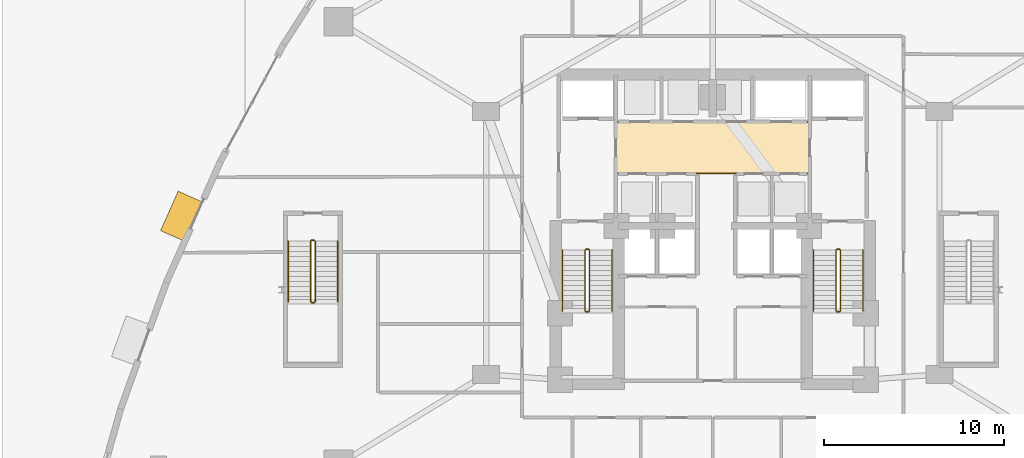
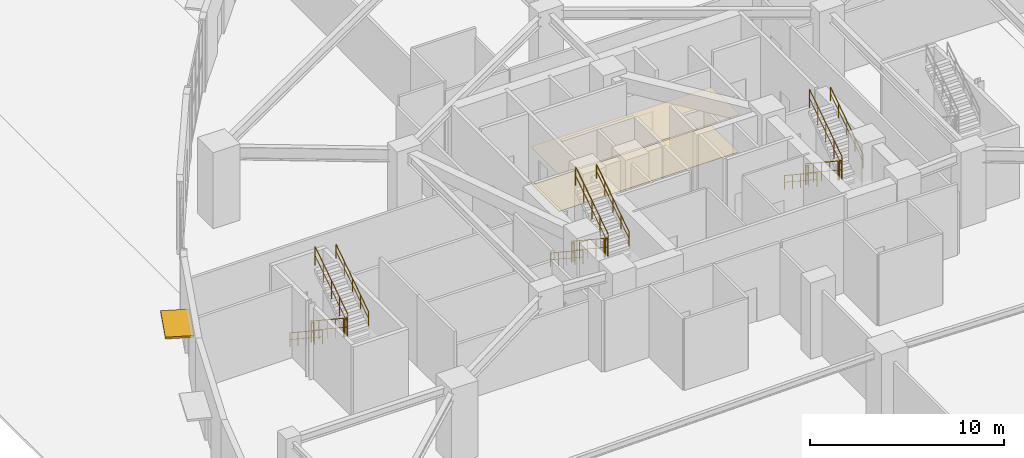
# One storey, part 29 of 32: 18 railings, 2 coverings, 1 shading device.
"""IFC4 building model written with IfcOpenShell, lengths in metres."""

from ifc_helpers import new_model, si_unit, direction, frame, origin, origin_2d, place, context, subcontext, project, spatial, polyline, rectangle, circle, outline, extrude, material, layer, layer_set, type_object, element, save


model = new_model("IFC4")

# Units and contexts
model_context = context("Model", 3, precision=1e-05, world=origin(), true_north=direction((0.0, 1.0)))
body_context = subcontext(model_context, "Body", "Model", "MODEL_VIEW")
ifc_project = project(units=[si_unit("LENGTHUNIT", "METRE"), si_unit("AREAUNIT", "SQUARE_METRE"), si_unit("VOLUMEUNIT", "CUBIC_METRE"), si_unit("PLANEANGLEUNIT", "RADIAN"), si_unit("MASSUNIT", "GRAM", prefix="KILO")], contexts=[model_context])

# Site, building, storey
site_placement = place(None, origin())
site = spatial("IfcSite", under=ifc_project, at=site_placement, CompositionType="ELEMENT")
building_placement = place(site_placement, origin())
building = spatial("IfcBuilding", under=site, at=building_placement, Name="Miruveldt Soraemaru", CompositionType="ELEMENT")
storey_placement = place(building_placement, origin())
storey = spatial("IfcBuildingStorey", under=building, at=storey_placement, Name="L01", CompositionType="ELEMENT", Elevation=0.0)

# Coverings
ifc_material_1 = material(Name="Gypsum plasterboard lining", Category="gypsum")
ifc_layer_1 = layer(ifc_material_1, 0.02001953125, Name="Gypsum plasterboard lining", Category="gypsum")
ifc_layer_set_1 = layer_set([ifc_layer_1], Name="Gypsum plasterboard lining")
covering_type_1 = type_object("IfcCoveringType", Name="COV-CEIL-AC", PredefinedType="CEILING", material=ifc_layer_set_1)
covering_1_placement = place(storey_placement, frame((0.0, 0.0, 2.3798828125)))
element("IfcCovering", 1, at=covering_1_placement, inside=storey, type_object=covering_type_1, Name="L01 Lift Lobby Acoustic Ceiling", PredefinedType="CEILING", context=body_context, shape_type="SweptSolid", body=[
    extrude(outline(polyline([(38.60009765625, 46.949951171875), (49.39990234375, 46.949951171875), (49.39990234375, 49.85009765625), (38.60009765625, 49.85009765625), (38.60009765625, 46.949951171875)])), origin(), (0.0, 0.0, 1.0), 0.02001953125),
])
ifc_material_2 = material(Name="Precast concrete C45/55 (45 MPa)", Category="concrete")
ifc_layer_2 = layer(ifc_material_2, 0.02490234375, Name="Precast concrete C45/55 (45 MPa)", Category="concrete")
ifc_layer_set_2 = layer_set([ifc_layer_2], Name="Precast concrete C45/55 (45 MPa)")
covering_type_2 = type_object("IfcCoveringType", Name="COV-FLOR-ST", PredefinedType="FLOORING", material=ifc_layer_set_2)
covering_2_placement = place(storey_placement, origin())
element("IfcCovering", 2, at=covering_2_placement, inside=storey, type_object=covering_type_2, Name="L01 Lift Lobby Stone Flooring", PredefinedType="FLOORING", context=body_context, shape_type="SweptSolid", body=[
    extrude(outline(polyline([(38.64990234375, 47.0), (49.35009765625, 47.0), (49.35009765625, 49.800048828125), (38.64990234375, 49.800048828125), (38.64990234375, 47.0)])), origin(), (0.0, 0.0, 1.0), 0.02490234375),
])

# Railings
ifc_material_3 = material(Name="Steel S355 (355 MPa)", Category="steel")
railing_type_1 = type_object("IfcRailingType", Name="RAIL-HR-900", PredefinedType="HANDRAIL", material=ifc_material_3)
railing_1_placement = place(storey_placement, frame((35.64990234375, 42.699951171875, 0.1845703125)))
element("IfcRailing", 3, at=railing_1_placement, inside=storey, type_object=railing_type_1, Name="L01 ST-1 stair handrail 1", PredefinedType="HANDRAIL", context=body_context, shape_type="SweptSolid", body=[
    extrude(circle(Radius=0.02392578125, at=origin_2d()), frame((0.0, 0.0, 0.8759765625), z_axis=(0.0, -0.834858096282, 0.550465220583), x_axis=(1.0, 0.0, 0.0)), (0.0, 0.0, 1.0), 4.0244140625),
    extrude(circle(Radius=0.01611328125, at=origin_2d()), frame((0.0, 0.0, 0.449951171875), z_axis=(0.0, -0.834858096282, 0.550465220583), x_axis=(1.0, 0.0, 0.0)), (0.0, 0.0, 1.0), 4.0244140625),
    extrude(circle(Radius=0.02099609375, at=origin_2d()), origin(), (0.0, 0.0, 1.0), 0.851806640625),
    extrude(circle(Radius=0.02099609375, at=origin_2d()), frame((0.0, -0.83984375, 0.5537109375)), (0.0, 0.0, 1.0), 0.851806640625),
    extrude(circle(Radius=0.02099609375, at=origin_2d()), frame((0.0, -1.679931640625, 1.107666015625)), (0.0, 0.0, 1.0), 0.851806640625),
    extrude(circle(Radius=0.02099609375, at=origin_2d()), frame((0.0, -2.52001953125, 1.66162109375)), (0.0, 0.0, 1.0), 0.851806640625),
    extrude(circle(Radius=0.02099609375, at=origin_2d()), frame((0.0, -3.35986328125, 2.21533203125)), (0.0, 0.0, 1.0), 0.851806640625),
])
railing_2_placement = place(storey_placement, frame((38.39990234375, 39.340087890625, 2.584716796875)))
element("IfcRailing", 4, at=railing_2_placement, inside=storey, type_object=railing_type_1, Name="L01 ST-1 stair handrail 2", PredefinedType="HANDRAIL", context=body_context, shape_type="SweptSolid", body=[
    extrude(circle(Radius=0.02392578125, at=origin_2d()), frame((0.0, 0.0, 0.8759765625), z_axis=(0.0, 0.834858096282, 0.550465220583), x_axis=(-1.0, 0.0, 0.0)), (0.0, 0.0, 1.0), 4.0244140625),
    extrude(circle(Radius=0.01611328125, at=origin_2d()), frame((0.0, 0.0, 0.449951171875), z_axis=(0.0, 0.834858096282, 0.550465220583), x_axis=(-1.0, 0.0, 0.0)), (0.0, 0.0, 1.0), 4.0244140625),
    extrude(circle(Radius=0.02099609375, at=origin_2d()), origin(), (0.0, 0.0, 1.0), 0.851806640625),
    extrude(circle(Radius=0.02099609375, at=origin_2d()), frame((0.0, 0.83984375, 0.5537109375)), (0.0, 0.0, 1.0), 0.851806640625),
    extrude(circle(Radius=0.02099609375, at=origin_2d()), frame((0.0, 1.679931640625, 1.107666015625)), (0.0, 0.0, 1.0), 0.851806640625),
    extrude(circle(Radius=0.02099609375, at=origin_2d()), frame((0.0, 2.52001953125, 1.66162109375)), (0.0, 0.0, 1.0), 0.851806640625),
    extrude(circle(Radius=0.02099609375, at=origin_2d()), frame((0.0, 3.35986328125, 2.21533203125)), (0.0, 0.0, 1.0), 0.851806640625),
])
railing_3_placement = place(storey_placement, frame((49.60009765625, 42.699951171875, 0.1845703125)))
element("IfcRailing", 5, at=railing_3_placement, inside=storey, type_object=railing_type_1, Name="L01 ST-2 stair handrail 1", PredefinedType="HANDRAIL", context=body_context, shape_type="SweptSolid", body=[
    extrude(circle(Radius=0.02392578125, at=origin_2d()), frame((0.0, 0.0, 0.8759765625), z_axis=(0.0, -0.834858096282, 0.550465220583), x_axis=(1.0, 0.0, 0.0)), (0.0, 0.0, 1.0), 4.0244140625),
    extrude(circle(Radius=0.01611328125, at=origin_2d()), frame((0.0, 0.0, 0.449951171875), z_axis=(0.0, -0.834858096282, 0.550465220583), x_axis=(1.0, 0.0, 0.0)), (0.0, 0.0, 1.0), 4.0244140625),
    extrude(circle(Radius=0.02099609375, at=origin_2d()), origin(), (0.0, 0.0, 1.0), 0.851806640625),
    extrude(circle(Radius=0.02099609375, at=origin_2d()), frame((0.0, -0.83984375, 0.5537109375)), (0.0, 0.0, 1.0), 0.851806640625),
    extrude(circle(Radius=0.02099609375, at=origin_2d()), frame((0.0, -1.679931640625, 1.107666015625)), (0.0, 0.0, 1.0), 0.851806640625),
    extrude(circle(Radius=0.02099609375, at=origin_2d()), frame((0.0, -2.52001953125, 1.66162109375)), (0.0, 0.0, 1.0), 0.851806640625),
    extrude(circle(Radius=0.02099609375, at=origin_2d()), frame((0.0, -3.35986328125, 2.21533203125)), (0.0, 0.0, 1.0), 0.851806640625),
])
railing_4_placement = place(storey_placement, frame((52.35009765625, 39.340087890625, 2.584716796875)))
element("IfcRailing", 6, at=railing_4_placement, inside=storey, type_object=railing_type_1, Name="L01 ST-2 stair handrail 2", PredefinedType="HANDRAIL", context=body_context, shape_type="SweptSolid", body=[
    extrude(circle(Radius=0.02392578125, at=origin_2d()), frame((0.0, 0.0, 0.8759765625), z_axis=(0.0, 0.834858096282, 0.550465220583), x_axis=(-1.0, 0.0, 0.0)), (0.0, 0.0, 1.0), 4.0244140625),
    extrude(circle(Radius=0.01611328125, at=origin_2d()), frame((0.0, 0.0, 0.449951171875), z_axis=(0.0, 0.834858096282, 0.550465220583), x_axis=(-1.0, 0.0, 0.0)), (0.0, 0.0, 1.0), 4.0244140625),
    extrude(circle(Radius=0.02099609375, at=origin_2d()), origin(), (0.0, 0.0, 1.0), 0.851806640625),
    extrude(circle(Radius=0.02099609375, at=origin_2d()), frame((0.0, 0.83984375, 0.5537109375)), (0.0, 0.0, 1.0), 0.851806640625),
    extrude(circle(Radius=0.02099609375, at=origin_2d()), frame((0.0, 1.679931640625, 1.107666015625)), (0.0, 0.0, 1.0), 0.851806640625),
    extrude(circle(Radius=0.02099609375, at=origin_2d()), frame((0.0, 2.52001953125, 1.66162109375)), (0.0, 0.0, 1.0), 0.851806640625),
    extrude(circle(Radius=0.02099609375, at=origin_2d()), frame((0.0, 3.35986328125, 2.21533203125)), (0.0, 0.0, 1.0), 0.851806640625),
])
railing_5_placement = place(storey_placement, frame((20.39990234375, 43.199951171875, 0.1845703125)))
element("IfcRailing", 7, at=railing_5_placement, inside=storey, type_object=railing_type_1, Name="L01 ST-3 stair handrail 1", PredefinedType="HANDRAIL", context=body_context, shape_type="SweptSolid", body=[
    extrude(circle(Radius=0.02392578125, at=origin_2d()), frame((0.0, 0.0, 0.8759765625), z_axis=(0.0, -0.834858096282, 0.550465220583), x_axis=(1.0, 0.0, 0.0)), (0.0, 0.0, 1.0), 4.0244140625),
    extrude(circle(Radius=0.01611328125, at=origin_2d()), frame((0.0, 0.0, 0.449951171875), z_axis=(0.0, -0.834858096282, 0.550465220583), x_axis=(1.0, 0.0, 0.0)), (0.0, 0.0, 1.0), 4.0244140625),
    extrude(circle(Radius=0.02099609375, at=origin_2d()), origin(), (0.0, 0.0, 1.0), 0.851806640625),
    extrude(circle(Radius=0.02099609375, at=origin_2d()), frame((0.0, -0.83984375, 0.5537109375)), (0.0, 0.0, 1.0), 0.851806640625),
    extrude(circle(Radius=0.02099609375, at=origin_2d()), frame((0.0, -1.679931640625, 1.107666015625)), (0.0, 0.0, 1.0), 0.851806640625),
    extrude(circle(Radius=0.02099609375, at=origin_2d()), frame((0.0, -2.52001953125, 1.66162109375)), (0.0, 0.0, 1.0), 0.851806640625),
    extrude(circle(Radius=0.02099609375, at=origin_2d()), frame((0.0, -3.35986328125, 2.21533203125)), (0.0, 0.0, 1.0), 0.851806640625),
])
railing_6_placement = place(storey_placement, frame((23.14990234375, 39.840087890625, 2.584716796875)))
element("IfcRailing", 8, at=railing_6_placement, inside=storey, type_object=railing_type_1, Name="L01 ST-3 stair handrail 2", PredefinedType="HANDRAIL", context=body_context, shape_type="SweptSolid", body=[
    extrude(circle(Radius=0.02392578125, at=origin_2d()), frame((0.0, 0.0, 0.8759765625), z_axis=(0.0, 0.834858096282, 0.550465220583), x_axis=(-1.0, 0.0, 0.0)), (0.0, 0.0, 1.0), 4.0244140625),
    extrude(circle(Radius=0.01611328125, at=origin_2d()), frame((0.0, 0.0, 0.449951171875), z_axis=(0.0, 0.834858096282, 0.550465220583), x_axis=(-1.0, 0.0, 0.0)), (0.0, 0.0, 1.0), 4.0244140625),
    extrude(circle(Radius=0.02099609375, at=origin_2d()), origin(), (0.0, 0.0, 1.0), 0.851806640625),
    extrude(circle(Radius=0.02099609375, at=origin_2d()), frame((0.0, 0.83984375, 0.5537109375)), (0.0, 0.0, 1.0), 0.851806640625),
    extrude(circle(Radius=0.02099609375, at=origin_2d()), frame((0.0, 1.679931640625, 1.107666015625)), (0.0, 0.0, 1.0), 0.851806640625),
    extrude(circle(Radius=0.02099609375, at=origin_2d()), frame((0.0, 2.52001953125, 1.66162109375)), (0.0, 0.0, 1.0), 0.851806640625),
    extrude(circle(Radius=0.02099609375, at=origin_2d()), frame((0.0, 3.35986328125, 2.21533203125)), (0.0, 0.0, 1.0), 0.851806640625),
])
railing_type_2 = type_object("IfcRailingType", Name="RAIL-STGUARD-1200", PredefinedType="GUARDRAIL", material=ifc_material_3)
railing_7_placement = place(storey_placement, frame((36.89990234375, 42.699951171875, 0.1845703125)))
element("IfcRailing", 9, at=railing_7_placement, inside=storey, type_object=railing_type_2, Name="L01 ST-1 stair guard 1", PredefinedType="GUARDRAIL", context=body_context, shape_type="SweptSolid", body=[
    extrude(circle(Radius=0.02392578125, at=origin_2d()), frame((0.0, 0.0, 1.17578125), z_axis=(0.0, -0.834858096282, 0.550465220583), x_axis=(1.0, 0.0, 0.0)), (0.0, 0.0, 1.0), 4.0244140625),
    extrude(circle(Radius=0.01611328125, at=origin_2d()), frame((0.0, 0.0, 0.60009765625), z_axis=(0.0, -0.834858096282, 0.550465220583), x_axis=(1.0, 0.0, 0.0)), (0.0, 0.0, 1.0), 4.0244140625),
    extrude(circle(Radius=0.02099609375, at=origin_2d()), origin(), (0.0, 0.0, 1.0), 1.15185546875),
    extrude(circle(Radius=0.02099609375, at=origin_2d()), frame((0.0, -0.83984375, 0.5537109375)), (0.0, 0.0, 1.0), 1.15185546875),
    extrude(circle(Radius=0.02099609375, at=origin_2d()), frame((0.0, -1.679931640625, 1.107666015625)), (0.0, 0.0, 1.0), 1.15185546875),
    extrude(circle(Radius=0.02099609375, at=origin_2d()), frame((0.0, -2.52001953125, 1.66162109375)), (0.0, 0.0, 1.0), 1.15185546875),
    extrude(circle(Radius=0.02099609375, at=origin_2d()), frame((0.0, -3.35986328125, 2.21533203125)), (0.0, 0.0, 1.0), 1.15185546875),
])
railing_8_placement = place(storey_placement, frame((36.949951171875, 39.2900390625, 2.39990234375)))
element("IfcRailing", 10, at=railing_8_placement, inside=storey, type_object=railing_type_2, Name="L01 ST-1 stair guard 2", PredefinedType="GUARDRAIL", context=body_context, shape_type="SweptSolid", body=[
    extrude(circle(Radius=0.02392578125, at=origin_2d()), frame((0.0, 0.0, 1.17578125), z_axis=(1.0, 0.0, 0.0), x_axis=(0.0, 1.0, 0.0)), (0.0, 0.0, 1.0), 0.150146484375),
    extrude(circle(Radius=0.01611328125, at=origin_2d()), frame((0.0, 0.0, 0.60009765625), z_axis=(1.0, 0.0, 0.0), x_axis=(0.0, 1.0, 0.0)), (0.0, 0.0, 1.0), 0.150146484375),
    extrude(circle(Radius=0.02099609375, at=origin_2d()), origin(), (0.0, 0.0, 1.0), 1.15185546875),
    extrude(circle(Radius=0.02099609375, at=origin_2d()), frame((0.150146484375, 0.0, 0.0)), (0.0, 0.0, 1.0), 1.15185546875),
])
railing_9_placement = place(storey_placement, frame((37.14990234375, 39.340087890625, 2.584716796875)))
element("IfcRailing", 11, at=railing_9_placement, inside=storey, type_object=railing_type_2, Name="L01 ST-1 stair guard 3", PredefinedType="GUARDRAIL", context=body_context, shape_type="SweptSolid", body=[
    extrude(circle(Radius=0.02392578125, at=origin_2d()), frame((0.0, 0.0, 1.17578125), z_axis=(0.0, 0.834858096282, 0.550465220583), x_axis=(-1.0, 0.0, 0.0)), (0.0, 0.0, 1.0), 4.0244140625),
    extrude(circle(Radius=0.01611328125, at=origin_2d()), frame((0.0, 0.0, 0.60009765625), z_axis=(0.0, 0.834858096282, 0.550465220583), x_axis=(-1.0, 0.0, 0.0)), (0.0, 0.0, 1.0), 4.0244140625),
    extrude(circle(Radius=0.02099609375, at=origin_2d()), origin(), (0.0, 0.0, 1.0), 1.15185546875),
    extrude(circle(Radius=0.02099609375, at=origin_2d()), frame((0.0, 0.83984375, 0.5537109375)), (0.0, 0.0, 1.0), 1.15185546875),
    extrude(circle(Radius=0.02099609375, at=origin_2d()), frame((0.0, 1.679931640625, 1.107666015625)), (0.0, 0.0, 1.0), 1.15185546875),
    extrude(circle(Radius=0.02099609375, at=origin_2d()), frame((0.0, 2.52001953125, 1.66162109375)), (0.0, 0.0, 1.0), 1.15185546875),
    extrude(circle(Radius=0.02099609375, at=origin_2d()), frame((0.0, 3.35986328125, 2.21533203125)), (0.0, 0.0, 1.0), 1.15185546875),
])
railing_10_placement = place(storey_placement, frame((36.949951171875, 42.75, 0.0)))
element("IfcRailing", 12, at=railing_10_placement, inside=storey, type_object=railing_type_2, Name="L01 ST-1 stair guard 4", PredefinedType="GUARDRAIL", context=body_context, shape_type="SweptSolid", body=[
    extrude(circle(Radius=0.02392578125, at=origin_2d()), frame((0.0, 0.0, 1.17578125), z_axis=(1.0, 0.0, 0.0), x_axis=(0.0, 1.0, 0.0)), (0.0, 0.0, 1.0), 0.150146484375),
    extrude(circle(Radius=0.01611328125, at=origin_2d()), frame((0.0, 0.0, 0.60009765625), z_axis=(1.0, 0.0, 0.0), x_axis=(0.0, 1.0, 0.0)), (0.0, 0.0, 1.0), 0.150146484375),
    extrude(circle(Radius=0.02099609375, at=origin_2d()), origin(), (0.0, 0.0, 1.0), 1.15185546875),
    extrude(circle(Radius=0.02099609375, at=origin_2d()), frame((0.150146484375, 0.0, 0.0)), (0.0, 0.0, 1.0), 1.15185546875),
])
railing_11_placement = place(storey_placement, frame((50.85009765625, 42.699951171875, 0.1845703125)))
element("IfcRailing", 13, at=railing_11_placement, inside=storey, type_object=railing_type_2, Name="L01 ST-2 stair guard 1", PredefinedType="GUARDRAIL", context=body_context, shape_type="SweptSolid", body=[
    extrude(circle(Radius=0.02392578125, at=origin_2d()), frame((0.0, 0.0, 1.17578125), z_axis=(0.0, -0.834858096282, 0.550465220583), x_axis=(1.0, 0.0, 0.0)), (0.0, 0.0, 1.0), 4.0244140625),
    extrude(circle(Radius=0.01611328125, at=origin_2d()), frame((0.0, 0.0, 0.60009765625), z_axis=(0.0, -0.834858096282, 0.550465220583), x_axis=(1.0, 0.0, 0.0)), (0.0, 0.0, 1.0), 4.0244140625),
    extrude(circle(Radius=0.02099609375, at=origin_2d()), origin(), (0.0, 0.0, 1.0), 1.15185546875),
    extrude(circle(Radius=0.02099609375, at=origin_2d()), frame((0.0, -0.83984375, 0.5537109375)), (0.0, 0.0, 1.0), 1.15185546875),
    extrude(circle(Radius=0.02099609375, at=origin_2d()), frame((0.0, -1.679931640625, 1.107666015625)), (0.0, 0.0, 1.0), 1.15185546875),
    extrude(circle(Radius=0.02099609375, at=origin_2d()), frame((0.0, -2.52001953125, 1.66162109375)), (0.0, 0.0, 1.0), 1.15185546875),
    extrude(circle(Radius=0.02099609375, at=origin_2d()), frame((0.0, -3.35986328125, 2.21533203125)), (0.0, 0.0, 1.0), 1.15185546875),
])
railing_12_placement = place(storey_placement, frame((50.89990234375, 39.2900390625, 2.39990234375)))
element("IfcRailing", 14, at=railing_12_placement, inside=storey, type_object=railing_type_2, Name="L01 ST-2 stair guard 2", PredefinedType="GUARDRAIL", context=body_context, shape_type="SweptSolid", body=[
    extrude(circle(Radius=0.02392578125, at=origin_2d()), frame((0.0, 0.0, 1.17578125), z_axis=(1.0, 0.0, 0.0), x_axis=(0.0, 1.0, 0.0)), (0.0, 0.0, 1.0), 0.150146484375),
    extrude(circle(Radius=0.01611328125, at=origin_2d()), frame((0.0, 0.0, 0.60009765625), z_axis=(1.0, 0.0, 0.0), x_axis=(0.0, 1.0, 0.0)), (0.0, 0.0, 1.0), 0.150146484375),
    extrude(circle(Radius=0.02099609375, at=origin_2d()), origin(), (0.0, 0.0, 1.0), 1.15185546875),
    extrude(circle(Radius=0.02099609375, at=origin_2d()), frame((0.150146484375, 0.0, 0.0)), (0.0, 0.0, 1.0), 1.15185546875),
])
railing_13_placement = place(storey_placement, frame((51.10009765625, 39.340087890625, 2.584716796875)))
element("IfcRailing", 15, at=railing_13_placement, inside=storey, type_object=railing_type_2, Name="L01 ST-2 stair guard 3", PredefinedType="GUARDRAIL", context=body_context, shape_type="SweptSolid", body=[
    extrude(circle(Radius=0.02392578125, at=origin_2d()), frame((0.0, 0.0, 1.17578125), z_axis=(0.0, 0.834858096282, 0.550465220583), x_axis=(-1.0, 0.0, 0.0)), (0.0, 0.0, 1.0), 4.0244140625),
    extrude(circle(Radius=0.01611328125, at=origin_2d()), frame((0.0, 0.0, 0.60009765625), z_axis=(0.0, 0.834858096282, 0.550465220583), x_axis=(-1.0, 0.0, 0.0)), (0.0, 0.0, 1.0), 4.0244140625),
    extrude(circle(Radius=0.02099609375, at=origin_2d()), origin(), (0.0, 0.0, 1.0), 1.15185546875),
    extrude(circle(Radius=0.02099609375, at=origin_2d()), frame((0.0, 0.83984375, 0.5537109375)), (0.0, 0.0, 1.0), 1.15185546875),
    extrude(circle(Radius=0.02099609375, at=origin_2d()), frame((0.0, 1.679931640625, 1.107666015625)), (0.0, 0.0, 1.0), 1.15185546875),
    extrude(circle(Radius=0.02099609375, at=origin_2d()), frame((0.0, 2.52001953125, 1.66162109375)), (0.0, 0.0, 1.0), 1.15185546875),
    extrude(circle(Radius=0.02099609375, at=origin_2d()), frame((0.0, 3.35986328125, 2.21533203125)), (0.0, 0.0, 1.0), 1.15185546875),
])
railing_14_placement = place(storey_placement, frame((50.89990234375, 42.75, 0.0)))
element("IfcRailing", 16, at=railing_14_placement, inside=storey, type_object=railing_type_2, Name="L01 ST-2 stair guard 4", PredefinedType="GUARDRAIL", context=body_context, shape_type="SweptSolid", body=[
    extrude(circle(Radius=0.02392578125, at=origin_2d()), frame((0.0, 0.0, 1.17578125), z_axis=(1.0, 0.0, 0.0), x_axis=(0.0, 1.0, 0.0)), (0.0, 0.0, 1.0), 0.150146484375),
    extrude(circle(Radius=0.01611328125, at=origin_2d()), frame((0.0, 0.0, 0.60009765625), z_axis=(1.0, 0.0, 0.0), x_axis=(0.0, 1.0, 0.0)), (0.0, 0.0, 1.0), 0.150146484375),
    extrude(circle(Radius=0.02099609375, at=origin_2d()), origin(), (0.0, 0.0, 1.0), 1.15185546875),
    extrude(circle(Radius=0.02099609375, at=origin_2d()), frame((0.150146484375, 0.0, 0.0)), (0.0, 0.0, 1.0), 1.15185546875),
])
railing_15_placement = place(storey_placement, frame((21.64990234375, 43.199951171875, 0.1845703125)))
element("IfcRailing", 17, at=railing_15_placement, inside=storey, type_object=railing_type_2, Name="L01 ST-3 stair guard 1", PredefinedType="GUARDRAIL", context=body_context, shape_type="SweptSolid", body=[
    extrude(circle(Radius=0.02392578125, at=origin_2d()), frame((0.0, 0.0, 1.17578125), z_axis=(0.0, -0.834858096282, 0.550465220583), x_axis=(1.0, 0.0, 0.0)), (0.0, 0.0, 1.0), 4.0244140625),
    extrude(circle(Radius=0.01611328125, at=origin_2d()), frame((0.0, 0.0, 0.60009765625), z_axis=(0.0, -0.834858096282, 0.550465220583), x_axis=(1.0, 0.0, 0.0)), (0.0, 0.0, 1.0), 4.0244140625),
    extrude(circle(Radius=0.02099609375, at=origin_2d()), origin(), (0.0, 0.0, 1.0), 1.15185546875),
    extrude(circle(Radius=0.02099609375, at=origin_2d()), frame((0.0, -0.83984375, 0.5537109375)), (0.0, 0.0, 1.0), 1.15185546875),
    extrude(circle(Radius=0.02099609375, at=origin_2d()), frame((0.0, -1.679931640625, 1.107666015625)), (0.0, 0.0, 1.0), 1.15185546875),
    extrude(circle(Radius=0.02099609375, at=origin_2d()), frame((0.0, -2.52001953125, 1.66162109375)), (0.0, 0.0, 1.0), 1.15185546875),
    extrude(circle(Radius=0.02099609375, at=origin_2d()), frame((0.0, -3.35986328125, 2.21533203125)), (0.0, 0.0, 1.0), 1.15185546875),
])
railing_16_placement = place(storey_placement, frame((21.699951171875, 39.7900390625, 2.39990234375)))
element("IfcRailing", 18, at=railing_16_placement, inside=storey, type_object=railing_type_2, Name="L01 ST-3 stair guard 2", PredefinedType="GUARDRAIL", context=body_context, shape_type="SweptSolid", body=[
    extrude(circle(Radius=0.02392578125, at=origin_2d()), frame((0.0, 0.0, 1.17578125), z_axis=(1.0, 0.0, 0.0), x_axis=(0.0, 1.0, 0.0)), (0.0, 0.0, 1.0), 0.150146484375),
    extrude(circle(Radius=0.01611328125, at=origin_2d()), frame((0.0, 0.0, 0.60009765625), z_axis=(1.0, 0.0, 0.0), x_axis=(0.0, 1.0, 0.0)), (0.0, 0.0, 1.0), 0.150146484375),
    extrude(circle(Radius=0.02099609375, at=origin_2d()), origin(), (0.0, 0.0, 1.0), 1.15185546875),
    extrude(circle(Radius=0.02099609375, at=origin_2d()), frame((0.150146484375, 0.0, 0.0)), (0.0, 0.0, 1.0), 1.15185546875),
])
railing_17_placement = place(storey_placement, frame((21.89990234375, 39.840087890625, 2.584716796875)))
element("IfcRailing", 19, at=railing_17_placement, inside=storey, type_object=railing_type_2, Name="L01 ST-3 stair guard 3", PredefinedType="GUARDRAIL", context=body_context, shape_type="SweptSolid", body=[
    extrude(circle(Radius=0.02392578125, at=origin_2d()), frame((0.0, 0.0, 1.17578125), z_axis=(0.0, 0.834858096282, 0.550465220583), x_axis=(-1.0, 0.0, 0.0)), (0.0, 0.0, 1.0), 4.0244140625),
    extrude(circle(Radius=0.01611328125, at=origin_2d()), frame((0.0, 0.0, 0.60009765625), z_axis=(0.0, 0.834858096282, 0.550465220583), x_axis=(-1.0, 0.0, 0.0)), (0.0, 0.0, 1.0), 4.0244140625),
    extrude(circle(Radius=0.02099609375, at=origin_2d()), origin(), (0.0, 0.0, 1.0), 1.15185546875),
    extrude(circle(Radius=0.02099609375, at=origin_2d()), frame((0.0, 0.83984375, 0.5537109375)), (0.0, 0.0, 1.0), 1.15185546875),
    extrude(circle(Radius=0.02099609375, at=origin_2d()), frame((0.0, 1.679931640625, 1.107666015625)), (0.0, 0.0, 1.0), 1.15185546875),
    extrude(circle(Radius=0.02099609375, at=origin_2d()), frame((0.0, 2.52001953125, 1.66162109375)), (0.0, 0.0, 1.0), 1.15185546875),
    extrude(circle(Radius=0.02099609375, at=origin_2d()), frame((0.0, 3.35986328125, 2.21533203125)), (0.0, 0.0, 1.0), 1.15185546875),
])
railing_18_placement = place(storey_placement, frame((21.699951171875, 43.25, 0.0)))
element("IfcRailing", 20, at=railing_18_placement, inside=storey, type_object=railing_type_2, Name="L01 ST-3 stair guard 4", PredefinedType="GUARDRAIL", context=body_context, shape_type="SweptSolid", body=[
    extrude(circle(Radius=0.02392578125, at=origin_2d()), frame((0.0, 0.0, 1.17578125), z_axis=(1.0, 0.0, 0.0), x_axis=(0.0, 1.0, 0.0)), (0.0, 0.0, 1.0), 0.150146484375),
    extrude(circle(Radius=0.01611328125, at=origin_2d()), frame((0.0, 0.0, 0.60009765625), z_axis=(1.0, 0.0, 0.0), x_axis=(0.0, 1.0, 0.0)), (0.0, 0.0, 1.0), 0.150146484375),
    extrude(circle(Radius=0.02099609375, at=origin_2d()), origin(), (0.0, 0.0, 1.0), 1.15185546875),
    extrude(circle(Radius=0.02099609375, at=origin_2d()), frame((0.150146484375, 0.0, 0.0)), (0.0, 0.0, 1.0), 1.15185546875),
])

# Shading device
ifc_material_4 = material(Name="Anodised aluminium EN AW-6063 T6", Category="aluminium")
ifc_layer_3 = layer(ifc_material_4, 0.1201171875, Name="Anodised aluminium EN AW-6063 T6", Category="aluminium")
ifc_layer_set_3 = layer_set([ifc_layer_3], Name="Anodised aluminium EN AW-6063 T6")
shading_device_type = type_object("IfcShadingDeviceType", Name="SHD-CANOPY-AWN", PredefinedType="AWNING", material=ifc_layer_set_3)
shading_device_placement = place(storey_placement, frame((14.4814453125, 44.57958984375, 2.7900390625), z_axis=(0.0, 0.0, 1.0), x_axis=(-0.408091466962, -0.912941046614, 0.0)))
element("IfcShadingDevice", 21, at=shading_device_placement, inside=storey, type_object=shading_device_type, Name="L01 Entrance Canopy Awning 12", PredefinedType="AWNING", context=body_context, shape_type="SweptSolid", body=[
    extrude(rectangle(XDim=2.39990234375, YDim=1.5, at=origin_2d()), origin(), (0.0, 0.0, 1.0), 0.1201171875),
])

save(model, "model.ifc")
